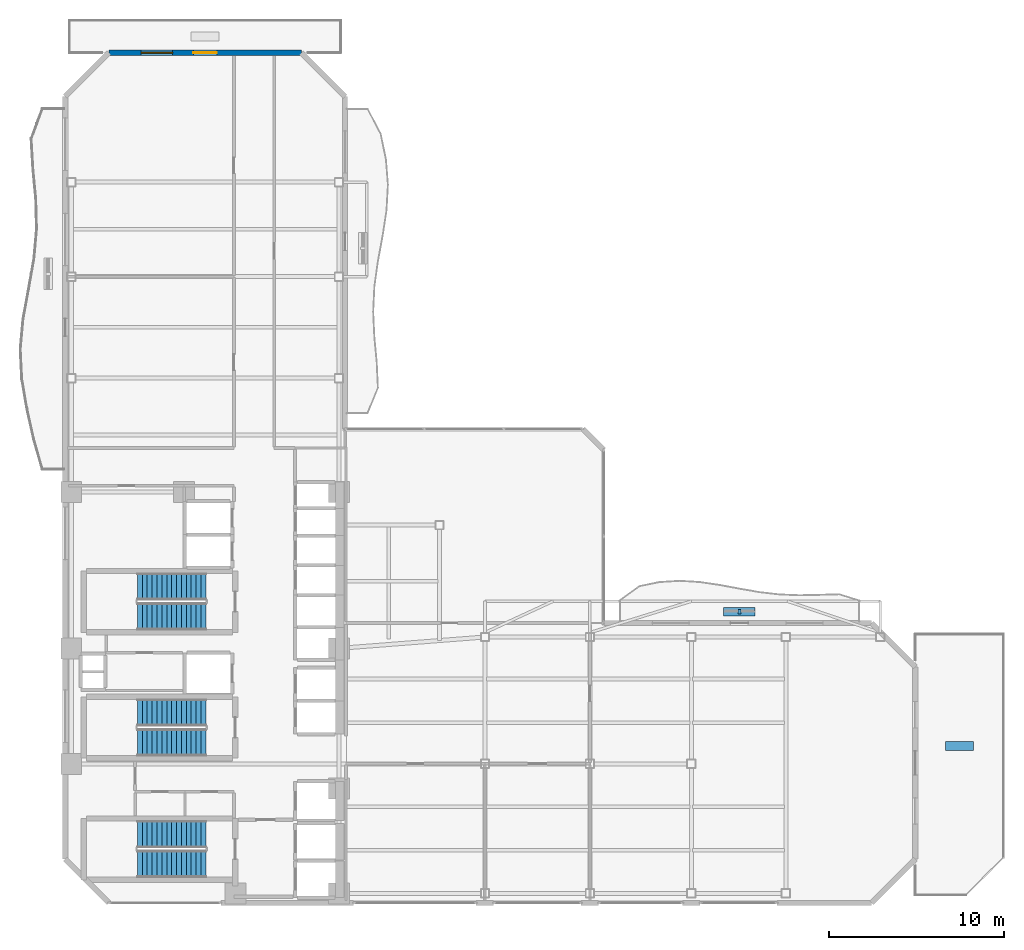
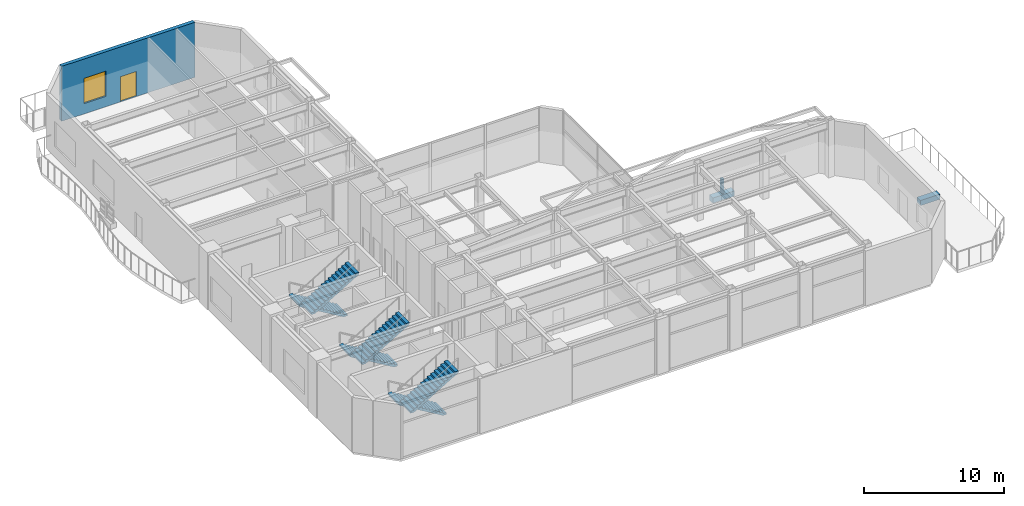
# One storey, part 19 of 23: 6 stair flights, 3 discrete accessories, 1 door, 1 wall, 1 window, 2 openings, 3 elements without a shape of their own.
"""IFC4 building model written with IfcOpenShell, lengths in metres."""

import ifcopenshell
import ifcopenshell.guid

model = None  # the IFC model being written
_history = None  # IfcOwnerHistory: only IFC2X3 demands one
_inside = {}  # id of a spatial element -> (the spatial element, [elements in it])
_under = {}  # id of a project, library or spatial element -> (it, [spatial elements below it])
_declared = {}  # id of a project -> (the project, [libraries it declares])
_typed = {}  # id of a type object -> (the type object, [elements of that type])
_made_of = {}  # id of a material, layer set ... -> (it, [elements and type objects made of it])


def new_model(schema):
    """Start an empty IFC model of exactly this schema.

    Asked for "IFC4X3", IfcOpenShell would pick the latest addendum, in which some entities
    have other attributes; the version numbers below select the first issue.
    IFC2X3 requires an IfcOwnerHistory on every rooted entity: one is made here for all.
    """
    global model, _history
    if schema == "IFC4X3":
        model = ifcopenshell.file(schema_version=(4, 3, 0, 0))
    else:
        model = ifcopenshell.file(schema=schema)
    _inside.clear()
    _under.clear()
    _declared.clear()
    _typed.clear()
    _made_of.clear()
    _history = None
    if model.schema == "IFC2X3":
        org = make("IfcOrganization", Name="unknown")
        user = make(
            "IfcPersonAndOrganization",
            ThePerson=make("IfcPerson", FamilyName="unknown"),
            TheOrganization=org,
        )
        app = make(
            "IfcApplication",
            ApplicationDeveloper=org,
            Version="unknown",
            ApplicationFullName="unknown",
            ApplicationIdentifier="unknown",
        )
        _history = make(
            "IfcOwnerHistory",
            OwningUser=user,
            OwningApplication=app,
            ChangeAction="ADDED",
            CreationDate=0,
        )
    return model


def make(cls, **values):
    """One entity of the class cls with the attributes given. An attribute that is None is left unset."""
    return model.create_entity(
        cls, **{name: value for name, value in values.items() if value is not None}
    )


def rooted(cls, **values):
    """An entity with a GlobalId (a new one), such as an element, a storey or a relation."""
    return make(cls, GlobalId=ifcopenshell.guid.new(), OwnerHistory=_history, **values)


def si_unit(unit_type, name, prefix=None):
    """IfcSIUnit, for example si_unit("LENGTHUNIT", "METRE", prefix="MILLI")."""
    return make("IfcSIUnit", UnitType=unit_type, Prefix=prefix, Name=name)


def assignment(units):
    """IfcUnitAssignment: the units of a project."""
    return None if units is None else make("IfcUnitAssignment", Units=units)


def point(xyz):
    """IfcCartesianPoint."""
    return None if xyz is None else make("IfcCartesianPoint", Coordinates=xyz)


def direction(xyz):
    """IfcDirection."""
    return None if xyz is None else make("IfcDirection", DirectionRatios=xyz)


def frame(location, z_axis=None, x_axis=None):
    """IfcAxis2Placement3D, a coordinate frame: its origin and axes. An axis left out is left unset."""
    return make(
        "IfcAxis2Placement3D",
        Location=point(location),
        Axis=direction(z_axis),
        RefDirection=direction(x_axis),
    )


def frame_2d(location, x_axis=None):
    """IfcAxis2Placement2D, a coordinate frame in the plane: its origin and x axis."""
    return make(
        "IfcAxis2Placement2D", Location=point(location), RefDirection=direction(x_axis)
    )


def origin():
    """The frame at (0, 0, 0) with its axes left unset."""
    return frame((0.0, 0.0, 0.0))


def origin_2d():
    """The frame at (0, 0) in the plane with its x axis left unset."""
    return frame_2d((0.0, 0.0))


def place(relative_to, where):
    """IfcLocalPlacement: puts the frame where relative to a parent placement (None: the world)."""
    return make(
        "IfcLocalPlacement", PlacementRelTo=relative_to, RelativePlacement=where
    )


def context(
    kind, dimensions, precision=None, world=None, true_north=None, identifier=None
):
    """IfcGeometricRepresentationContext, for example the 3D "Model" context."""
    return make(
        "IfcGeometricRepresentationContext",
        ContextIdentifier=identifier,
        ContextType=kind,
        CoordinateSpaceDimension=dimensions,
        Precision=precision,
        WorldCoordinateSystem=world,
        TrueNorth=true_north,
    )


def subcontext(parent, identifier, kind, view, scale=None):
    """IfcGeometricRepresentationSubContext, for example "Body" below "Model"."""
    return make(
        "IfcGeometricRepresentationSubContext",
        ContextIdentifier=identifier,
        ContextType=kind,
        ParentContext=parent,
        TargetScale=scale,
        TargetView=view,
    )


def project(units=None, contexts=None):
    """IfcProject with its units and contexts."""
    return rooted(
        "IfcProject",
        Name="project",
        RepresentationContexts=contexts,
        UnitsInContext=assignment(units),
    )


def spatial(cls, under=None, at=None, **own):
    """A site, building, storey or space (cls), placed at a placement, below another one or the project."""
    s = rooted(cls, ObjectPlacement=at, **own)
    if under is not None:
        _under.setdefault(under.id(), (under, []))[1].append(s)
    return s


def polyline(points):
    """IfcPolyline through the points."""
    return make("IfcPolyline", Points=[point(p) for p in points])


def profile(cls, at=None, kind="AREA", **sizes):
    """A parametric profile (cls). Its sizes go by their IFC names, for example OverallWidth=200.0."""
    return make(cls, ProfileType=kind, Position=at, **sizes)


def rectangle(**sizes):
    """IfcRectangleProfileDef."""
    return profile("IfcRectangleProfileDef", **sizes)


def outline(outer, holes=None, kind="AREA"):
    """IfcArbitraryClosedProfileDef: a profile drawn as a closed curve; with holes, ...WithVoids."""
    if holes is None:
        return make("IfcArbitraryClosedProfileDef", ProfileType=kind, OuterCurve=outer)
    return make(
        "IfcArbitraryProfileDefWithVoids",
        ProfileType=kind,
        OuterCurve=outer,
        InnerCurves=holes,
    )


def extrude(swept, where, along, depth):
    """IfcExtrudedAreaSolid: the profile swept, set in the frame where, extruded along a direction by depth."""
    return make(
        "IfcExtrudedAreaSolid",
        SweptArea=swept,
        Position=where,
        ExtrudedDirection=direction(along),
        Depth=depth,
    )


def shape(context_of_items, identifier, shape_type, items):
    """IfcShapeRepresentation: the items that make up one representation, for example the "Body"."""
    return make(
        "IfcShapeRepresentation",
        ContextOfItems=context_of_items,
        RepresentationIdentifier=identifier,
        RepresentationType=shape_type,
        Items=items,
    )


def material(Name=None, Category=None):
    """IfcMaterial."""
    return make("IfcMaterial", Name=Name, Category=Category)


def layer(
    of_material, thickness, ventilated=None, Name=None, Category=None, Priority=None
):
    """IfcMaterialLayer: one layer of a wall or slab, of a material (None: an air gap)."""
    return make(
        "IfcMaterialLayer",
        Material=of_material,
        LayerThickness=thickness,
        IsVentilated=ventilated,
        Name=Name,
        Category=Category,
        Priority=Priority,
    )


def layer_set(layers, Name=None):
    """IfcMaterialLayerSet."""
    return make("IfcMaterialLayerSet", MaterialLayers=layers, LayerSetName=Name)


def made_of(thing, what):
    """Note that an element or type object is made of a material, layer set ...; save() writes the relation."""
    if what is not None:
        _made_of.setdefault(what.id(), (what, []))[1].append(thing)
    return thing


def type_object(cls, material=None, **own):
    """A type object (cls), such as IfcWallType, which elements share."""
    return made_of(rooted(cls, **own), material)


def element(
    cls,
    number,
    at=None,
    inside=None,
    cuts=None,
    type_object=None,
    material=None,
    context=None,
    identifier="Body",
    shape_type=None,
    held_by="IfcProductDefinitionShape",
    body=None,
    shapes=None,
    **own,
):
    """One element of the class cls, such as IfcWall. Its Tag is "e" and its number.

    at: its placement. inside: the storey or other place that contains it. cuts: it is an
    opening in that element (IfcRelVoidsElement). A single representation is given by context,
    identifier, shape_type and body (its items); several are given by shapes. held_by: the class
    of the entity that holds the representations. save() writes the other relations.
    """
    e = rooted(cls, Tag="e%d" % number, ObjectPlacement=at, **own)
    if body is not None:
        shapes = [shape(context, identifier, shape_type, body)]
    if shapes is not None:
        e.Representation = make(held_by, Representations=shapes)
    if inside is not None:
        _inside.setdefault(inside.id(), (inside, []))[1].append(e)
    if cuts is not None:
        rooted(
            "IfcRelVoidsElement", RelatingBuildingElement=cuts, RelatedOpeningElement=e
        )
    if type_object is not None:
        _typed.setdefault(type_object.id(), (type_object, []))[1].append(e)
    return made_of(e, material)


def fill(opening, filler):
    """IfcRelFillsElement: the door or window that sits in an opening."""
    return rooted(
        "IfcRelFillsElement",
        RelatingOpeningElement=opening,
        RelatedBuildingElement=filler,
    )


def aggregate(whole, parts):
    """IfcRelAggregates: a whole, such as a stair, and the parts it consists of."""
    return rooted("IfcRelAggregates", RelatingObject=whole, RelatedObjects=parts)


def save(model, path):
    """Write the relations noted so far, then the file.

    IfcRelAggregates (storeys below a building ...), IfcRelContainedInSpatialStructure (elements
    in a storey), IfcRelDefinesByType, IfcRelAssociatesMaterial and IfcRelDeclares: one each for
    every whole, place, type object, material and project.
    """
    for whole, parts in _under.values():
        aggregate(whole, parts)
    for where, things in _inside.values():
        rooted(
            "IfcRelContainedInSpatialStructure",
            RelatedElements=things,
            RelatingStructure=where,
        )
    for kind, things in _typed.values():
        rooted("IfcRelDefinesByType", RelatedObjects=things, RelatingType=kind)
    for what, things in _made_of.values():
        rooted("IfcRelAssociatesMaterial", RelatedObjects=things, RelatingMaterial=what)
    for by, libraries in _declared.values():
        rooted("IfcRelDeclares", RelatingContext=by, RelatedDefinitions=libraries)
    model.write(path)


model = new_model("IFC4")

# Units and contexts
model_context = context("Model", 3, precision=1e-05, world=origin(), true_north=direction((0.0, 1.0)))
body_context = subcontext(model_context, "Body", "Model", "MODEL_VIEW")
ifc_project = project(units=[si_unit("LENGTHUNIT", "METRE"), si_unit("AREAUNIT", "SQUARE_METRE"), si_unit("VOLUMEUNIT", "CUBIC_METRE"), si_unit("PLANEANGLEUNIT", "RADIAN"), si_unit("MASSUNIT", "GRAM", prefix="KILO")], contexts=[model_context])

# Site, building, storey
site_placement = place(None, origin())
site = spatial("IfcSite", under=ifc_project, at=site_placement, CompositionType="ELEMENT")
building_placement = place(site_placement, origin())
building = spatial("IfcBuilding", under=site, at=building_placement, Name="Mawjaban Terraces University", CompositionType="ELEMENT")
storey_placement = place(building_placement, frame((0.0, 0.0, 98.39990234375)))
storey = spatial("IfcBuildingStorey", under=building, at=storey_placement, Name="L23", CompositionType="ELEMENT", Elevation=98.39990234375)

# Wall, openings, door, window
ifc_material_1 = material(Name="Insulated terracotta rainscreen on concrete backup C40/50", Category="masonry")
ifc_layer = layer(ifc_material_1, 0.300048828125)
ifc_layer_set = layer_set([ifc_layer], Name="Insulated terracotta rainscreen on concrete backup C40/50")
wall_type = type_object("IfcWallType", Name="ExtTerracottaWall_300", PredefinedType="SOLIDWALL", material=ifc_layer_set)
wall_placement = place(storey_placement, frame((35.5, 48.60009765625, 0.0), z_axis=(0.0, 0.0, 1.0), x_axis=(-1.0, 0.0, 0.0)))
wall = element("IfcWall", 1, at=wall_placement, inside=storey, type_object=wall_type, Name="L23 Exterior Terracotta Wall 11", PredefinedType="SOLIDWALL", context=body_context, shape_type="SweptSolid", body=[
    extrude(rectangle(XDim=11.0, YDim=0.300048828125, at=frame_2d((5.5, 0.0))), origin(), (0.0, 0.0, 1.0), 4.7900390625),
])
opening_1_placement = place(wall_placement, frame((4.824951171875, 0.0, 0.0)))
opening_1 = element("IfcOpeningElement", 2, at=opening_1_placement, cuts=wall, Name="Opening TD-135", PredefinedType="OPENING", context=body_context, shape_type="SweptSolid", body=[
    extrude(rectangle(XDim=1.35009765625, YDim=2.199951171875, at=frame_2d((0.675048828125, 1.10009765625))), frame((0.0, 0.159912109375, 0.0), z_axis=(0.0, -1.0, 0.0), x_axis=(1.0, 0.0, 0.0)), (0.0, 0.0, 1.0), 0.320068359375),
])
opening_2_placement = place(wall_placement, frame((7.35009765625, 0.0, 0.89990234375)))
opening_2 = element("IfcOpeningElement", 3, at=opening_2_placement, cuts=wall, Name="Opening W-10", PredefinedType="OPENING", context=body_context, shape_type="SweptSolid", body=[
    extrude(rectangle(XDim=1.800048828125, YDim=2.199951171875, at=frame_2d((0.89990234375, 1.10009765625))), frame((0.0, 0.159912109375, 0.0), z_axis=(0.0, -1.0, 0.0), x_axis=(1.0, 0.0, 0.0)), (0.0, 0.0, 1.0), 0.320068359375),
])
ifc_material_2 = material(Name="Thermally broken anodised aluminium and laminated safety glass", Category="aluminium")
door_type = type_object("IfcDoorType", Name="TerraceGlazedDoor_1350x2200", OperationType="NOTDEFINED", PredefinedType="DOOR", material=ifc_material_2)
door_placement = place(opening_1_placement, origin())
door = element("IfcDoor", 4, at=door_placement, inside=storey, type_object=door_type, Name="L23 Terrace Access Door TER-L23-NORTH", OperationType="SINGLE_SWING_LEFT", OverallHeight=2.199951171875, OverallWidth=1.35009765625, PredefinedType="DOOR", context=body_context, shape_type="SweptSolid", body=[
    extrude(rectangle(XDim=1.35009765625, YDim=2.199951171875, at=frame_2d((0.675048828125, 1.10009765625))), frame((0.0, 0.02490234375, 0.0), z_axis=(0.0, -1.0, 0.0), x_axis=(1.0, 0.0, 0.0)), (0.0, 0.0, 1.0), 0.050048828125),
])
fill(opening_1, door)
ifc_material_3 = material(Name="Low-E solar-control double glazing in thermally broken aluminium frame", Category="aluminium")
window_type = type_object("IfcWindowType", Name="Win_1800x2200", PartitioningType="SINGLE_PANEL", PredefinedType="WINDOW", material=ifc_material_3)
window_placement = place(opening_2_placement, origin())
window = element("IfcWindow", 5, at=window_placement, inside=storey, type_object=window_type, Name="L23 Facade Window 11.2", OverallHeight=2.199951171875, OverallWidth=1.800048828125, PartitioningType="SINGLE_PANEL", PredefinedType="WINDOW", context=body_context, shape_type="SweptSolid", body=[
    extrude(rectangle(XDim=1.800048828125, YDim=2.199951171875, at=frame_2d((0.89990234375, 1.10009765625))), frame((0.0, 0.030029296875, 0.0), z_axis=(0.0, -1.0, 0.0), x_axis=(1.0, 0.0, 0.0)), (0.0, 0.0, 1.0), 0.06005859375),
])
fill(opening_2, window)

# Stair, stair flights
ifc_material_4 = material(Name="Concrete C40/50", Category="concrete")
stair_type = type_object("IfcStairType", Name="Stair_Core1550_H50", PredefinedType="HALF_TURN_STAIR", material=ifc_material_4)
stair_1_placement = place(storey_placement, origin())
stair_1 = element("IfcStair", 6, at=stair_1_placement, inside=storey, type_object=stair_type, Name="L23 Core Exit Stair 1", PredefinedType="HALF_TURN_STAIR")
stair_flight_type = type_object("IfcStairFlightType", Name="Flight_Core1550_H50", PredefinedType="STRAIGHT", material=ifc_material_4)
stair_flight_1_placement = place(storey_placement, frame((30.050048828125, 3.925048828125, 0.0), z_axis=(0.0, 0.0, 1.0), x_axis=(-1.0, 0.0, 0.0)))
stair_flight_1 = element("IfcStairFlight", 7, at=stair_flight_1_placement, type_object=stair_flight_type, Name="ST-1 flight 1", NumberOfRisers=15, NumberOfTreads=14, PredefinedType="STRAIGHT", RiserHeight=0.166666667, TreadLength=0.28, context=body_context, shape_type="SweptSolid", body=[
    extrude(outline(polyline([(0.0, 0.0), (0.0, 0.166748046875), (0.280029296875, 0.166748046875), (0.280029296875, 0.333251953125), (0.56005859375, 0.333251953125), (0.56005859375, 0.5), (0.840087890625, 0.5), (0.840087890625, 0.666748046875), (1.1201171875, 0.666748046875), (1.1201171875, 0.833251953125), (1.39990234375, 0.833251953125), (1.39990234375, 1.0), (1.679931640625, 1.0), (1.679931640625, 1.166748046875), (1.9599609375, 1.166748046875), (1.9599609375, 1.333251953125), (2.239990234375, 1.333251953125), (2.239990234375, 1.5), (2.52001953125, 1.5), (2.52001953125, 1.666748046875), (2.800048828125, 1.666748046875), (2.800048828125, 1.833251953125), (3.080078125, 1.833251953125), (3.080078125, 2.0), (3.360107421875, 2.0), (3.360107421875, 2.166748046875), (3.639892578125, 2.166748046875), (3.639892578125, 2.333251953125), (3.919921875, 2.333251953125), (3.919921875, 2.5), (3.919921875, 2.158935546875), (0.29296875, 0.0), (0.0, 0.0)])), frame((0.0, 0.77490234375, 0.0), z_axis=(0.0, -1.0, 0.0), x_axis=(1.0, 0.0, 0.0)), (0.0, 0.0, 1.0), 1.550048828125),
])
stair_flight_2_placement = place(storey_placement, frame((26.1298828125, 2.22509765625, 2.5), z_axis=(0.0, 0.0, 1.0), x_axis=(1.0, 0.0, 0.0)))
stair_flight_2 = element("IfcStairFlight", 8, at=stair_flight_2_placement, type_object=stair_flight_type, Name="ST-1 flight 2", NumberOfRisers=15, NumberOfTreads=14, PredefinedType="STRAIGHT", RiserHeight=0.166666667, TreadLength=0.28, context=body_context, shape_type="SweptSolid", body=[
    extrude(outline(polyline([(0.0, 0.0), (0.0, 0.166748046875), (0.280029296875, 0.166748046875), (0.280029296875, 0.333251953125), (0.56005859375, 0.333251953125), (0.56005859375, 0.5), (0.840087890625, 0.5), (0.840087890625, 0.666748046875), (1.1201171875, 0.666748046875), (1.1201171875, 0.833251953125), (1.39990234375, 0.833251953125), (1.39990234375, 1.0), (1.679931640625, 1.0), (1.679931640625, 1.166748046875), (1.9599609375, 1.166748046875), (1.9599609375, 1.333251953125), (2.239990234375, 1.333251953125), (2.239990234375, 1.5), (2.52001953125, 1.5), (2.52001953125, 1.666748046875), (2.800048828125, 1.666748046875), (2.800048828125, 1.833251953125), (3.080078125, 1.833251953125), (3.080078125, 2.0), (3.360107421875, 2.0), (3.360107421875, 2.166748046875), (3.639892578125, 2.166748046875), (3.639892578125, 2.333251953125), (3.919921875, 2.333251953125), (3.919921875, 2.5), (3.919921875, 2.158935546875), (0.29296875, 0.0), (0.0, 0.0)])), frame((0.0, 0.77490234375, 0.0), z_axis=(0.0, -1.0, 0.0), x_axis=(1.0, 0.0, 0.0)), (0.0, 0.0, 1.0), 1.550048828125),
])
aggregate(stair_1, [stair_flight_1, stair_flight_2])

stair_2_placement = place(storey_placement, origin())
stair_2 = element("IfcStair", 9, at=stair_2_placement, inside=storey, type_object=stair_type, Name="L23 Core Exit Stair 2", PredefinedType="HALF_TURN_STAIR")
stair_flight_3_placement = place(storey_placement, frame((30.050048828125, 18.074951171875, 0.0), z_axis=(0.0, 0.0, 1.0), x_axis=(-1.0, 0.0, 0.0)))
stair_flight_3 = element("IfcStairFlight", 10, at=stair_flight_3_placement, type_object=stair_flight_type, Name="ST-2 flight 1", NumberOfRisers=15, NumberOfTreads=14, PredefinedType="STRAIGHT", RiserHeight=0.166666667, TreadLength=0.28, context=body_context, shape_type="SweptSolid", body=[
    extrude(outline(polyline([(0.0, 0.0), (0.0, 0.166748046875), (0.280029296875, 0.166748046875), (0.280029296875, 0.333251953125), (0.56005859375, 0.333251953125), (0.56005859375, 0.5), (0.840087890625, 0.5), (0.840087890625, 0.666748046875), (1.1201171875, 0.666748046875), (1.1201171875, 0.833251953125), (1.39990234375, 0.833251953125), (1.39990234375, 1.0), (1.679931640625, 1.0), (1.679931640625, 1.166748046875), (1.9599609375, 1.166748046875), (1.9599609375, 1.333251953125), (2.239990234375, 1.333251953125), (2.239990234375, 1.5), (2.52001953125, 1.5), (2.52001953125, 1.666748046875), (2.800048828125, 1.666748046875), (2.800048828125, 1.833251953125), (3.080078125, 1.833251953125), (3.080078125, 2.0), (3.360107421875, 2.0), (3.360107421875, 2.166748046875), (3.639892578125, 2.166748046875), (3.639892578125, 2.333251953125), (3.919921875, 2.333251953125), (3.919921875, 2.5), (3.919921875, 2.158935546875), (0.29296875, 0.0), (0.0, 0.0)])), frame((0.0, 0.77490234375, 0.0), z_axis=(0.0, -1.0, 0.0), x_axis=(1.0, 0.0, 0.0)), (0.0, 0.0, 1.0), 1.550048828125),
])
stair_flight_4_placement = place(storey_placement, frame((26.1298828125, 16.375, 2.5), z_axis=(0.0, 0.0, 1.0), x_axis=(1.0, 0.0, 0.0)))
stair_flight_4 = element("IfcStairFlight", 11, at=stair_flight_4_placement, type_object=stair_flight_type, Name="ST-2 flight 2", NumberOfRisers=15, NumberOfTreads=14, PredefinedType="STRAIGHT", RiserHeight=0.166666667, TreadLength=0.28, context=body_context, shape_type="SweptSolid", body=[
    extrude(outline(polyline([(0.0, 0.0), (0.0, 0.166748046875), (0.280029296875, 0.166748046875), (0.280029296875, 0.333251953125), (0.56005859375, 0.333251953125), (0.56005859375, 0.5), (0.840087890625, 0.5), (0.840087890625, 0.666748046875), (1.1201171875, 0.666748046875), (1.1201171875, 0.833251953125), (1.39990234375, 0.833251953125), (1.39990234375, 1.0), (1.679931640625, 1.0), (1.679931640625, 1.166748046875), (1.9599609375, 1.166748046875), (1.9599609375, 1.333251953125), (2.239990234375, 1.333251953125), (2.239990234375, 1.5), (2.52001953125, 1.5), (2.52001953125, 1.666748046875), (2.800048828125, 1.666748046875), (2.800048828125, 1.833251953125), (3.080078125, 1.833251953125), (3.080078125, 2.0), (3.360107421875, 2.0), (3.360107421875, 2.166748046875), (3.639892578125, 2.166748046875), (3.639892578125, 2.333251953125), (3.919921875, 2.333251953125), (3.919921875, 2.5), (3.919921875, 2.158935546875), (0.29296875, 0.0), (0.0, 0.0)])), frame((0.0, 0.77490234375, 0.0), z_axis=(0.0, -1.0, 0.0), x_axis=(1.0, 0.0, 0.0)), (0.0, 0.0, 1.0), 1.550048828125),
])
aggregate(stair_2, [stair_flight_3, stair_flight_4])

stair_3_placement = place(storey_placement, origin())
stair_3 = element("IfcStair", 12, at=stair_3_placement, inside=storey, type_object=stair_type, Name="L23 Core Exit Stair 3", PredefinedType="HALF_TURN_STAIR")
stair_flight_5_placement = place(storey_placement, frame((30.050048828125, 10.875, 0.0), z_axis=(0.0, 0.0, 1.0), x_axis=(-1.0, 0.0, 0.0)))
stair_flight_5 = element("IfcStairFlight", 13, at=stair_flight_5_placement, type_object=stair_flight_type, Name="ST-3 flight 1", NumberOfRisers=15, NumberOfTreads=14, PredefinedType="STRAIGHT", RiserHeight=0.166666667, TreadLength=0.28, context=body_context, shape_type="SweptSolid", body=[
    extrude(outline(polyline([(0.0, 0.0), (0.0, 0.166748046875), (0.280029296875, 0.166748046875), (0.280029296875, 0.333251953125), (0.56005859375, 0.333251953125), (0.56005859375, 0.5), (0.840087890625, 0.5), (0.840087890625, 0.666748046875), (1.1201171875, 0.666748046875), (1.1201171875, 0.833251953125), (1.39990234375, 0.833251953125), (1.39990234375, 1.0), (1.679931640625, 1.0), (1.679931640625, 1.166748046875), (1.9599609375, 1.166748046875), (1.9599609375, 1.333251953125), (2.239990234375, 1.333251953125), (2.239990234375, 1.5), (2.52001953125, 1.5), (2.52001953125, 1.666748046875), (2.800048828125, 1.666748046875), (2.800048828125, 1.833251953125), (3.080078125, 1.833251953125), (3.080078125, 2.0), (3.360107421875, 2.0), (3.360107421875, 2.166748046875), (3.639892578125, 2.166748046875), (3.639892578125, 2.333251953125), (3.919921875, 2.333251953125), (3.919921875, 2.5), (3.919921875, 2.158935546875), (0.29296875, 0.0), (0.0, 0.0)])), frame((0.0, 0.77490234375, 0.0), z_axis=(0.0, -1.0, 0.0), x_axis=(1.0, 0.0, 0.0)), (0.0, 0.0, 1.0), 1.550048828125),
])
stair_flight_6_placement = place(storey_placement, frame((26.1298828125, 9.175048828125, 2.5), z_axis=(0.0, 0.0, 1.0), x_axis=(1.0, 0.0, 0.0)))
stair_flight_6 = element("IfcStairFlight", 14, at=stair_flight_6_placement, type_object=stair_flight_type, Name="ST-3 flight 2", NumberOfRisers=15, NumberOfTreads=14, PredefinedType="STRAIGHT", RiserHeight=0.166666667, TreadLength=0.28, context=body_context, shape_type="SweptSolid", body=[
    extrude(outline(polyline([(0.0, 0.0), (0.0, 0.166748046875), (0.280029296875, 0.166748046875), (0.280029296875, 0.333251953125), (0.56005859375, 0.333251953125), (0.56005859375, 0.5), (0.840087890625, 0.5), (0.840087890625, 0.666748046875), (1.1201171875, 0.666748046875), (1.1201171875, 0.833251953125), (1.39990234375, 0.833251953125), (1.39990234375, 1.0), (1.679931640625, 1.0), (1.679931640625, 1.166748046875), (1.9599609375, 1.166748046875), (1.9599609375, 1.333251953125), (2.239990234375, 1.333251953125), (2.239990234375, 1.5), (2.52001953125, 1.5), (2.52001953125, 1.666748046875), (2.800048828125, 1.666748046875), (2.800048828125, 1.833251953125), (3.080078125, 1.833251953125), (3.080078125, 2.0), (3.360107421875, 2.0), (3.360107421875, 2.166748046875), (3.639892578125, 2.166748046875), (3.639892578125, 2.333251953125), (3.919921875, 2.333251953125), (3.919921875, 2.5), (3.919921875, 2.158935546875), (0.29296875, 0.0), (0.0, 0.0)])), frame((0.0, 0.77490234375, 0.0), z_axis=(0.0, -1.0, 0.0), x_axis=(1.0, 0.0, 0.0)), (0.0, 0.0, 1.0), 1.550048828125),
])
aggregate(stair_3, [stair_flight_5, stair_flight_6])

# Discrete accessories
ifc_material_5 = material(Name="Stainless steel 316L", Category="steel")
discrete_accessory_type_1 = type_object("IfcDiscreteAccessoryType", Name="FacadeScreenBracket_Steel", PredefinedType="BRACKET", material=ifc_material_5)
discrete_accessory_1_placement = place(storey_placement, frame((60.550048828125, 16.64501953125, 0.419921875), z_axis=(0.0, 0.0, 1.0), x_axis=(1.0, 0.0, 0.0)))
element("IfcDiscreteAccessory", 15, at=discrete_accessory_1_placement, inside=storey, type_object=discrete_accessory_type_1, Name="L23 Balcony Screen Support Bracket inner_north", PredefinedType="BRACKET", context=body_context, shape_type="SweptSolid", body=[
    extrude(rectangle(XDim=0.159912109375, YDim=0.239990234375, at=origin_2d()), origin(), (0.0, 0.0, 1.0), 1.300048828125),
])
ifc_material_6 = material(Name="Precast architectural terracotta planter with engineered planting soil", Category="masonry")
discrete_accessory_type_2 = type_object("IfcDiscreteAccessoryType", Name="IrrigatedPlanterTrough_450", PredefinedType="USERDEFINED", material=ifc_material_6)
discrete_accessory_2_placement = place(storey_placement, frame((60.550048828125, 16.64501953125, -0.0048828125), z_axis=(0.0, 0.0, 1.0), x_axis=(1.0, 0.0, 0.0)))
element("IfcDiscreteAccessory", 16, at=discrete_accessory_2_placement, inside=storey, type_object=discrete_accessory_type_2, Name="L23 Balcony Irrigated Planter inner_north", ObjectType="PLANTER", PredefinedType="USERDEFINED", context=body_context, shape_type="SweptSolid", body=[
    extrude(rectangle(XDim=1.800048828125, YDim=0.5, at=origin_2d()), origin(), (0.0, 0.0, 1.0), 0.449951171875),
])
discrete_accessory_3_placement = place(storey_placement, frame((73.125, 8.97509765625, -0.0048828125), z_axis=(0.0, 0.0, 1.0), x_axis=(1.0, 0.0, 0.0)))
element("IfcDiscreteAccessory", 17, at=discrete_accessory_3_placement, inside=storey, type_object=discrete_accessory_type_2, Name="L23 Terrace Planter TER-L23-EAST", ObjectType="PLANTER", PredefinedType="USERDEFINED", context=body_context, shape_type="SweptSolid", body=[
    extrude(rectangle(XDim=1.60009765625, YDim=0.5, at=origin_2d()), origin(), (0.0, 0.0, 1.0), 0.449951171875),
])

save(model, "model.ifc")
